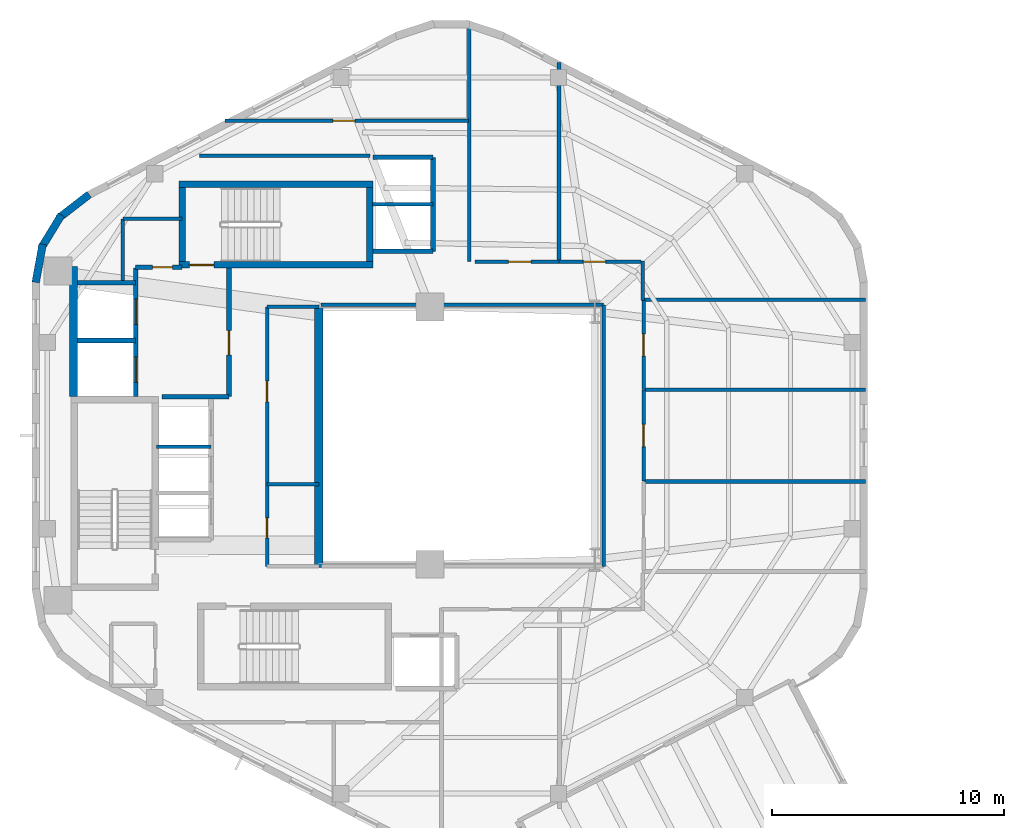
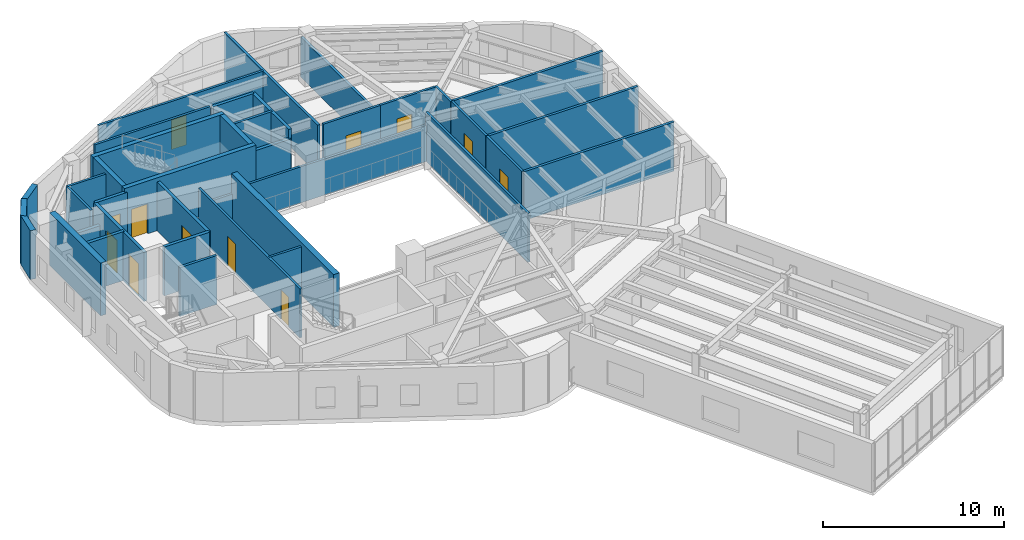
# One storey, part 8 of 11: 39 walls, 12 doors, 12 openings.
"""IFC4 building model written with IfcOpenShell, lengths in metres."""

from ifc_helpers import new_model, si_unit, direction, frame, frame_2d, origin, place, context, subcontext, project, spatial, rectangle, extrude, material, layer, layer_set, type_object, element, fill, save


model = new_model("IFC4")

# Units and contexts
model_context = context("Model", 3, precision=1e-05, world=origin(), true_north=direction((0.0, 1.0)))
body_context = subcontext(model_context, "Body", "Model", "MODEL_VIEW")
ifc_project = project(units=[si_unit("LENGTHUNIT", "METRE"), si_unit("AREAUNIT", "SQUARE_METRE"), si_unit("VOLUMEUNIT", "CUBIC_METRE"), si_unit("PLANEANGLEUNIT", "RADIAN"), si_unit("MASSUNIT", "GRAM", prefix="KILO"), si_unit("THERMODYNAMICTEMPERATUREUNIT", "KELVIN"), si_unit("POWERUNIT", "WATT")], contexts=[model_context])

# Site, building, storey
site_placement = place(None, origin())
site = spatial("IfcSite", under=ifc_project, at=site_placement, CompositionType="ELEMENT")
building_placement = place(site_placement, origin())
building = spatial("IfcBuilding", under=site, at=building_placement, Name="Skarre Station Tower", CompositionType="ELEMENT")
storey_placement = place(building_placement, frame((0.0, 0.0, 241.89990234375)))
storey = spatial("IfcBuildingStorey", under=building, at=storey_placement, Name="L66", CompositionType="ELEMENT", Elevation=241.89990234375)

# Wall
ifc_material_1 = material(Name="Acoustic Steel-Stud Gypsum Partition", Category="steel")
ifc_layer_1 = layer(ifc_material_1, 0.14990234375, Name="Acoustic Steel-Stud Gypsum Partition")
ifc_layer_set_1 = layer_set([ifc_layer_1], Name="Acoustic Steel-Stud Gypsum Partition")
wall_type_1 = type_object("IfcWallType", Name="Fire-Rated Corridor Acoustic Partition 150", PredefinedType="PARTITIONING", material=ifc_layer_set_1)
wall_1_placement = place(storey_placement, frame((25.320068359375, 21.89990234375, 0.0), z_axis=(0.0, 0.0, 1.0), x_axis=(1.0, 0.0, 0.0)))
element("IfcWall", 1, at=wall_1_placement, inside=storey, type_object=wall_type_1, Name="L66 Interior Partition WL-PT-L66-RC2-M", PredefinedType="PARTITIONING", context=body_context, shape_type="SweptSolid", body=[
    extrude(rectangle(XDim=2.22998046875, YDim=0.14990234375, at=frame_2d((1.114990234375, 0.0))), origin(), (0.0, 0.0, 1.0), 3.2900390625),
])

# Wall, openings, doors
wall_2_placement = place(storey_placement, frame((25.320068359375, 29.550048828125, 0.0), z_axis=(0.0, 0.0, 1.0), x_axis=(0.0, -1.0, 0.0)))
wall_2 = element("IfcWall", 2, at=wall_2_placement, inside=storey, type_object=wall_type_1, Name="L66 Interior Partition WL-PT-L66-RC2-W", PredefinedType="PARTITIONING", context=body_context, shape_type="SweptSolid", body=[
    extrude(rectangle(XDim=11.18994140625, YDim=0.14990234375, at=frame_2d((5.594970703125, 0.0))), origin(), (0.0, 0.0, 1.0), 3.2900390625),
])
opening_1_placement = place(wall_2_placement, frame((3.199951171875, 0.0, 0.0)))
opening_1 = element("IfcOpeningElement", 3, at=opening_1_placement, cuts=wall_2, Name="Opening DR-SVC90", PredefinedType="OPENING", context=body_context, shape_type="SweptSolid", body=[
    extrude(rectangle(XDim=0.89990234375, YDim=2.0, at=frame_2d((0.449951171875, 1.0))), frame((0.0, 0.0849609375, 0.0), z_axis=(0.0, -1.0, 0.0), x_axis=(1.0, 0.0, 0.0)), (0.0, 0.0, 1.0), 0.169921875),
])
opening_2_placement = place(wall_2_placement, frame((9.10009765625, 0.0, 0.0)))
opening_2 = element("IfcOpeningElement", 4, at=opening_2_placement, cuts=wall_2, Name="Opening DR-SVC86", PredefinedType="OPENING", context=body_context, shape_type="SweptSolid", body=[
    extrude(rectangle(XDim=0.860107421875, YDim=2.0, at=frame_2d((0.43017578125, 1.0))), frame((0.0, 0.0849609375, 0.0), z_axis=(0.0, -1.0, 0.0), x_axis=(1.0, 0.0, 0.0)), (0.0, 0.0, 1.0), 0.169921875),
])
ifc_material_2 = material(Name="Powder-Coated Hollow-Metal Acoustic Fire Leaf", Category="steel")
door_type_1 = type_object("IfcDoorType", Name="Compact Riser Fire Door FD60 860x2100", OperationType="SINGLE_SWING_LEFT", PredefinedType="DOOR", material=ifc_material_2)
door_1_placement = place(opening_2_placement, origin())
door_1 = element("IfcDoor", 5, at=door_1_placement, inside=storey, type_object=door_type_1, Name="L66 Espresso Room Door", OperationType="SINGLE_SWING_LEFT", OverallHeight=2.0, OverallWidth=0.860107421875, PredefinedType="DOOR", context=body_context, shape_type="SweptSolid", body=[
    extrude(rectangle(XDim=0.860107421875, YDim=2.0, at=frame_2d((0.43017578125, 1.0))), frame((0.0, 0.02490234375, 0.0), z_axis=(0.0, -1.0, 0.0), x_axis=(1.0, 0.0, 0.0)), (0.0, 0.0, 1.0), 0.050048828125),
])
fill(opening_2, door_1)
door_type_2 = type_object("IfcDoorType", Name="Service & Riser Fire Door FD60 900x2100", OperationType="SINGLE_SWING_LEFT", PredefinedType="DOOR", material=ifc_material_2)
door_2_placement = place(opening_1_placement, origin())
door_2 = element("IfcDoor", 6, at=door_2_placement, inside=storey, type_object=door_type_2, Name="L66 Reading Alcove Door", OperationType="SINGLE_SWING_LEFT", OverallHeight=2.0, OverallWidth=0.89990234375, PredefinedType="DOOR", context=body_context, shape_type="SweptSolid", body=[
    extrude(rectangle(XDim=0.89990234375, YDim=2.0, at=frame_2d((0.449951171875, 1.0))), frame((0.0, 0.02490234375, 0.0), z_axis=(0.0, -1.0, 0.0), x_axis=(1.0, 0.0, 0.0)), (0.0, 0.0, 1.0), 0.050048828125),
])
fill(opening_1, door_2)

# Walls
wall_3_placement = place(storey_placement, frame((27.550048828125, 29.550048828125, 0.0), z_axis=(0.0, 0.0, 1.0), x_axis=(-1.0, 0.0, 0.0)))
element("IfcWall", 7, at=wall_3_placement, inside=storey, type_object=wall_type_1, Name="L66 Interior Partition WL-PT-L66-RC2-N", PredefinedType="PARTITIONING", context=body_context, shape_type="SweptSolid", body=[
    extrude(rectangle(XDim=2.22998046875, YDim=0.14990234375, at=frame_2d((1.114990234375, 0.0))), origin(), (0.0, 0.0, 1.0), 2.190185546875),
])
wall_4_placement = place(storey_placement, frame((19.10009765625, 33.35009765625, 0.0), z_axis=(0.0, 0.0, 1.0), x_axis=(0.0, -1.0, 0.0)))
element("IfcWall", 8, at=wall_4_placement, inside=storey, type_object=wall_type_1, Name="L66 Interior Partition WL-PT-L66-CNW-W", PredefinedType="PARTITIONING", context=body_context, shape_type="SweptSolid", body=[
    extrude(rectangle(XDim=2.655029296875, YDim=0.14990234375, at=frame_2d((1.32763671875, 0.0))), origin(), (0.0, 0.0, 1.0), 3.2900390625),
])
wall_5_placement = place(storey_placement, frame((21.659912109375, 33.35009765625, 0.0), z_axis=(0.0, 0.0, 1.0), x_axis=(-1.0, 0.0, 0.0)))
element("IfcWall", 9, at=wall_5_placement, inside=storey, type_object=wall_type_1, Name="L66 Interior Partition WL-PT-L66-CNW-N1", PredefinedType="PARTITIONING", context=body_context, shape_type="SweptSolid", body=[
    extrude(rectangle(XDim=2.559814453125, YDim=0.14990234375, at=frame_2d((1.27978515625, 0.0))), origin(), (0.0, 0.0, 1.0), 3.2900390625),
])
wall_6_placement = place(storey_placement, frame((39.840087890625, 29.639892578125, 0.0), z_axis=(0.0, 0.0, 1.0), x_axis=(-1.0, 0.0, 0.0)))
element("IfcWall", 10, at=wall_6_placement, inside=storey, type_object=wall_type_1, Name="L66 Interior Partition WL-PT-L66-ATRW-N", PredefinedType="PARTITIONING", context=body_context, shape_type="SweptSolid", body=[
    extrude(rectangle(XDim=12.203125, YDim=0.14990234375, at=frame_2d((6.1015625, 0.0))), origin(), (0.0, 0.0, 1.0), 2.43115234375),
])
wall_7_placement = place(storey_placement, frame((39.840087890625, 18.360107421875, 0.0), z_axis=(0.0, 0.0, 1.0), x_axis=(0.0, 1.0, 0.0)))
element("IfcWall", 11, at=wall_7_placement, inside=storey, type_object=wall_type_1, Name="L66 Interior Partition WL-PT-L66-ATRW-E", PredefinedType="PARTITIONING", context=body_context, shape_type="SweptSolid", body=[
    extrude(rectangle(XDim=11.27978515625, YDim=0.14990234375, at=frame_2d((5.639892578125, 0.0))), origin(), (0.0, 0.0, 1.0), 3.2900390625),
])

# Wall, opening, door
wall_8_placement = place(storey_placement, frame((34.0, 37.580078125, 0.0), z_axis=(0.0, 0.0, 1.0), x_axis=(-1.0, 0.0, 0.0)))
wall_8 = element("IfcWall", 12, at=wall_8_placement, inside=storey, type_object=wall_type_1, Name="L66 Interior Partition WL-PT-L66-NWW1-CW", PredefinedType="PARTITIONING", context=body_context, shape_type="SweptSolid", body=[
    extrude(rectangle(XDim=10.5009765625, YDim=0.14990234375, at=frame_2d((5.25048828125, 0.0))), origin(), (0.0, 0.0, 1.0), 3.2900390625),
])
opening_3_placement = place(wall_8_placement, frame((4.87890625, 0.0, 0.0)))
opening_3 = element("IfcOpeningElement", 13, at=opening_3_placement, cuts=wall_8, Name="Opening DR-FD60", PredefinedType="OPENING", context=body_context, shape_type="SweptSolid", body=[
    extrude(rectangle(XDim=0.9599609375, YDim=2.0, at=frame_2d((0.47998046875, 1.0))), frame((0.0, 0.0849609375, 0.0), z_axis=(0.0, -1.0, 0.0), x_axis=(1.0, 0.0, 0.0)), (0.0, 0.0, 1.0), 0.169921875),
])
ifc_material_3 = material(Name="Nordic White-Oak Veneer Solid-Core Fire Leaf", Category="wood")
door_type_3 = type_object("IfcDoorType", Name="Corridor Suite Entry Fire Door FD60 960x2150", OperationType="SINGLE_SWING_LEFT", PredefinedType="DOOR", material=ifc_material_3)
door_3_placement = place(opening_3_placement, origin())
door_3 = element("IfcDoor", 14, at=door_3_placement, inside=storey, type_object=door_type_3, Name="L66 NWW1 Entry Door", OperationType="SINGLE_SWING_LEFT", OverallHeight=2.0, OverallWidth=0.9599609375, PredefinedType="DOOR", context=body_context, shape_type="SweptSolid", body=[
    extrude(rectangle(XDim=0.9599609375, YDim=2.0, at=frame_2d((0.47998046875, 1.0))), frame((0.0, 0.02490234375, 0.0), z_axis=(0.0, -1.0, 0.0), x_axis=(1.0, 0.0, 0.0)), (0.0, 0.0, 1.0), 0.050048828125),
])
fill(opening_3, door_3)

# Wall
wall_9_placement = place(storey_placement, frame((41.52001953125, 29.820068359375, 0.0), z_axis=(0.0, 0.0, 1.0), x_axis=(0.0, 1.0, 0.0)))
element("IfcWall", 15, at=wall_9_placement, inside=storey, type_object=wall_type_1, Name="L66 Interior Partition WL-PT-L66-CORR-NER", PredefinedType="PARTITIONING", context=body_context, shape_type="SweptSolid", body=[
    extrude(rectangle(XDim=1.719970703125, YDim=0.14990234375, at=frame_2d((0.85986328125, 0.0))), origin(), (0.0, 0.0, 1.0), 3.2900390625),
])

# Wall, opening, door
wall_10_placement = place(storey_placement, frame((37.912109375, 31.5, 0.0), z_axis=(0.0, 0.0, 1.0), x_axis=(-1.0, 0.0, 0.0)))
wall_10 = element("IfcWall", 16, at=wall_10_placement, inside=storey, type_object=wall_type_1, Name="L66 Interior Partition WL-PT-L66-NW1-CW", PredefinedType="PARTITIONING", context=body_context, shape_type="SweptSolid", body=[
    extrude(rectangle(XDim=3.6220703125, YDim=0.14990234375, at=frame_2d((1.81103515625, 0.0))), origin(), (0.0, 0.0, 1.0), 3.2900390625),
])
opening_4_placement = place(wall_10_placement, frame((1.2119140625, 0.0, 0.0)))
opening_4 = element("IfcOpeningElement", 17, at=opening_4_placement, cuts=wall_10, Name="Opening DR-FD60", PredefinedType="OPENING", context=body_context, shape_type="SweptSolid", body=[
    extrude(rectangle(XDim=0.9599609375, YDim=2.0, at=frame_2d((0.47998046875, 1.0))), frame((0.0, 0.0849609375, 0.0), z_axis=(0.0, -1.0, 0.0), x_axis=(1.0, 0.0, 0.0)), (0.0, 0.0, 1.0), 0.169921875),
])
door_4_placement = place(opening_4_placement, origin())
door_4 = element("IfcDoor", 18, at=door_4_placement, inside=storey, type_object=door_type_3, Name="L66 NW1 Entry Door", OperationType="SINGLE_SWING_LEFT", OverallHeight=2.0, OverallWidth=0.9599609375, PredefinedType="DOOR", context=body_context, shape_type="SweptSolid", body=[
    extrude(rectangle(XDim=0.9599609375, YDim=2.0, at=frame_2d((0.47998046875, 1.0))), frame((0.0, 0.02490234375, 0.0), z_axis=(0.0, -1.0, 0.0), x_axis=(1.0, 0.0, 0.0)), (0.0, 0.0, 1.0), 0.050048828125),
])
fill(opening_4, door_4)

wall_11_placement = place(storey_placement, frame((41.449951171875, 31.5, 0.0), z_axis=(0.0, 0.0, 1.0), x_axis=(-1.0, 0.0, 0.0)))
wall_11 = element("IfcWall", 19, at=wall_11_placement, inside=storey, type_object=wall_type_1, Name="L66 Interior Partition WL-PT-L66-NW2-CW", PredefinedType="PARTITIONING", context=body_context, shape_type="SweptSolid", body=[
    extrude(rectangle(XDim=3.52783203125, YDim=0.14990234375, at=frame_2d((1.763916015625, 0.0))), origin(), (0.0, 0.0, 1.0), 3.2900390625),
])
opening_5_placement = place(wall_11_placement, frame((1.52392578125, 0.0, 0.0)))
opening_5 = element("IfcOpeningElement", 20, at=opening_5_placement, cuts=wall_11, Name="Opening DR-FD60", PredefinedType="OPENING", context=body_context, shape_type="SweptSolid", body=[
    extrude(rectangle(XDim=0.9599609375, YDim=2.0, at=frame_2d((0.47998046875, 1.0))), frame((0.0, 0.0849609375, 0.0), z_axis=(0.0, -1.0, 0.0), x_axis=(1.0, 0.0, 0.0)), (0.0, 0.0, 1.0), 0.169921875),
])
door_5_placement = place(opening_5_placement, origin())
door_5 = element("IfcDoor", 21, at=door_5_placement, inside=storey, type_object=door_type_3, Name="L66 NW2 Entry Door", OperationType="SINGLE_SWING_LEFT", OverallHeight=2.0, OverallWidth=0.9599609375, PredefinedType="DOOR", context=body_context, shape_type="SweptSolid", body=[
    extrude(rectangle(XDim=0.9599609375, YDim=2.0, at=frame_2d((0.47998046875, 1.0))), frame((0.0, 0.02490234375, 0.0), z_axis=(0.0, -1.0, 0.0), x_axis=(1.0, 0.0, 0.0)), (0.0, 0.0, 1.0), 0.050048828125),
])
fill(opening_5, door_5)

wall_12_placement = place(storey_placement, frame((41.56005859375, 22.0390625, 0.0), z_axis=(0.0, 0.0, 1.0), x_axis=(0.0, 1.0, 0.0)))
wall_12 = element("IfcWall", 22, at=wall_12_placement, inside=storey, type_object=wall_type_1, Name="L66 Interior Partition WL-PT-L66-EW2-CW", PredefinedType="PARTITIONING", context=body_context, shape_type="SweptSolid", body=[
    extrude(rectangle(XDim=3.921875, YDim=0.14990234375, at=frame_2d((1.9609375, 0.0))), origin(), (0.0, 0.0, 1.0), 3.2900390625),
])
opening_6_placement = place(wall_12_placement, frame((1.48095703125, 0.0, 0.0)))
opening_6 = element("IfcOpeningElement", 23, at=opening_6_placement, cuts=wall_12, Name="Opening DR-FD60", PredefinedType="OPENING", context=body_context, shape_type="SweptSolid", body=[
    extrude(rectangle(XDim=0.9599609375, YDim=2.0, at=frame_2d((0.47998046875, 1.0))), frame((0.0, 0.0849609375, 0.0), z_axis=(0.0, -1.0, 0.0), x_axis=(1.0, 0.0, 0.0)), (0.0, 0.0, 1.0), 0.169921875),
])
door_6_placement = place(opening_6_placement, origin())
door_6 = element("IfcDoor", 24, at=door_6_placement, inside=storey, type_object=door_type_3, Name="L66 EW2 Entry Door", OperationType="SINGLE_SWING_LEFT", OverallHeight=2.0, OverallWidth=0.9599609375, PredefinedType="DOOR", context=body_context, shape_type="SweptSolid", body=[
    extrude(rectangle(XDim=0.9599609375, YDim=2.0, at=frame_2d((0.47998046875, 1.0))), frame((0.0, 0.02490234375, 0.0), z_axis=(0.0, -1.0, 0.0), x_axis=(1.0, 0.0, 0.0)), (0.0, 0.0, 1.0), 0.050048828125),
])
fill(opening_6, door_6)

wall_13_placement = place(storey_placement, frame((41.56005859375, 25.9970703125, 0.0), z_axis=(0.0, 0.0, 1.0), x_axis=(0.0, 1.0, 0.0)))
wall_13 = element("IfcWall", 25, at=wall_13_placement, inside=storey, type_object=wall_type_1, Name="L66 Interior Partition WL-PT-L66-EW3-CW", PredefinedType="PARTITIONING", context=body_context, shape_type="SweptSolid", body=[
    extrude(rectangle(XDim=3.822998046875, YDim=0.14990234375, at=frame_2d((1.91162109375, 0.0))), origin(), (0.0, 0.0, 1.0), 3.2900390625),
])
opening_7_placement = place(wall_13_placement, frame((1.431884765625, 0.0, 0.0)))
opening_7 = element("IfcOpeningElement", 26, at=opening_7_placement, cuts=wall_13, Name="Opening DR-FD60", PredefinedType="OPENING", context=body_context, shape_type="SweptSolid", body=[
    extrude(rectangle(XDim=0.9599609375, YDim=2.0, at=frame_2d((0.47998046875, 1.0))), frame((0.0, 0.0849609375, 0.0), z_axis=(0.0, -1.0, 0.0), x_axis=(1.0, 0.0, 0.0)), (0.0, 0.0, 1.0), 0.169921875),
])
door_7_placement = place(opening_7_placement, origin())
door_7 = element("IfcDoor", 27, at=door_7_placement, inside=storey, type_object=door_type_3, Name="L66 EW3 Entry Door", OperationType="SINGLE_SWING_LEFT", OverallHeight=2.0, OverallWidth=0.9599609375, PredefinedType="DOOR", context=body_context, shape_type="SweptSolid", body=[
    extrude(rectangle(XDim=0.9599609375, YDim=2.0, at=frame_2d((0.47998046875, 1.0))), frame((0.0, 0.02490234375, 0.0), z_axis=(0.0, -1.0, 0.0), x_axis=(1.0, 0.0, 0.0)), (0.0, 0.0, 1.0), 0.050048828125),
])
fill(opening_7, door_7)

# Walls
wall_14_placement = place(storey_placement, frame((29.7529296875, 36.080078125, 0.0), z_axis=(0.0, 0.0, 1.0), x_axis=(-1.0, 0.0, 0.0)))
element("IfcWall", 28, at=wall_14_placement, inside=storey, type_object=wall_type_1, Name="L66 Interior Partition WL-PT-L66-CSEAL-1", PredefinedType="PARTITIONING", context=body_context, shape_type="SweptSolid", body=[
    extrude(rectangle(XDim=7.35302734375, YDim=0.14990234375, at=frame_2d((3.676513671875, 0.0))), origin(), (0.0, 0.0, 1.0), 3.2900390625),
])
ifc_material_4 = material(Name="Precast concrete C45/55", Category="concrete")
ifc_layer_2 = layer(ifc_material_4, 0.330078125, Name="Precast concrete C45/55")
ifc_layer_set_2 = layer_set([ifc_layer_2], Name="Precast concrete C45/55")
wall_type_2 = type_object("IfcWallType", Name="Nordic Rounded Corner Precast Wall 330", PredefinedType="STANDARD", material=ifc_layer_set_2)
wall_15_placement = place(storey_placement, frame((15.337890625, 30.60791015625, 0.0), z_axis=(0.0, 0.0, 1.0), x_axis=(0.180832605401, 0.983513888475, 0.0)))
element("IfcWall", 29, at=wall_15_placement, inside=storey, type_object=wall_type_2, Name="L66 Rounded Corner Precast Wall F2-1", PredefinedType="STANDARD", context=body_context, shape_type="SweptSolid", body=[
    extrude(rectangle(XDim=1.6767578125, YDim=0.330078125, at=frame_2d((0.83837890625, 0.0))), origin(), (0.0, 0.0, 1.0), 3.2900390625),
])
wall_16_placement = place(storey_placement, frame((15.573974609375, 32.08203125, 0.0), z_axis=(0.0, 0.0, 1.0), x_axis=(0.520325409202, 0.853968072318, 0.0)))
element("IfcWall", 30, at=wall_16_placement, inside=storey, type_object=wall_type_2, Name="L66 Rounded Corner Precast Wall F2-2", PredefinedType="STANDARD", context=body_context, shape_type="SweptSolid", body=[
    extrude(rectangle(XDim=1.677978515625, YDim=0.330078125, at=frame_2d((0.8388671875, 0.0))), origin(), (0.0, 0.0, 1.0), 3.2900390625),
])
wall_17_placement = place(storey_placement, frame((16.322021484375, 33.375, 0.0), z_axis=(0.0, 0.0, 1.0), x_axis=(0.790691856293, 0.61221433207, 0.0)))
element("IfcWall", 31, at=wall_17_placement, inside=storey, type_object=wall_type_2, Name="L66 Rounded Corner Precast Wall F2-3", PredefinedType="STANDARD", context=body_context, shape_type="SweptSolid", body=[
    extrude(rectangle(XDim=1.67578125, YDim=0.330078125, at=frame_2d((0.837890625, 0.0))), origin(), (0.0, 0.0, 1.0), 3.2900390625),
])

# Wall, opening, door
ifc_material_5 = material(Name="Concrete C50/60", Category="concrete")
ifc_layer_3 = layer(ifc_material_5, 0.280029296875, Name="Concrete C50/60")
ifc_layer_set_3 = layer_set([ifc_layer_3], Name="Concrete C50/60")
wall_type_3 = type_object("IfcWallType", Name="RC Core Shear Wall 280", PredefinedType="SHEAR", material=ifc_layer_set_3)
wall_18_placement = place(storey_placement, frame((21.52001953125, 31.360107421875, 0.0), z_axis=(0.0, 0.0, 1.0), x_axis=(1.0, 0.0, 0.0)))
wall_18 = element("IfcWall", 32, at=wall_18_placement, inside=storey, type_object=wall_type_3, Name="L66 Stair ST-3 South Shear Wall", PredefinedType="SHEAR", context=body_context, shape_type="SweptSolid", body=[
    extrude(rectangle(XDim=8.35986328125, YDim=0.280029296875, at=frame_2d((4.179931640625, 0.0))), origin(), (0.0, 0.0, 1.0), 3.550048828125),
])
opening_8_placement = place(wall_18_placement, frame((0.449951171875, 0.0, 0.0)))
opening_8 = element("IfcOpeningElement", 33, at=opening_8_placement, cuts=wall_18, Name="Opening DR-FD90", PredefinedType="OPENING", context=body_context, shape_type="SweptSolid", body=[
    extrude(rectangle(XDim=1.050048828125, YDim=2.0, at=frame_2d((0.52490234375, 1.0))), frame((0.0, 0.14990234375, 0.0), z_axis=(0.0, -1.0, 0.0), x_axis=(1.0, 0.0, 0.0)), (0.0, 0.0, 1.0), 0.300048828125),
])
ifc_material_6 = material(Name="Fire-Rated Insulated Steel Frame & Timber Core Leaf", Category="steel")
door_type_4 = type_object("IfcDoorType", Name="Stair & FSAE Lobby Fire Door FD90 1050x2150", OperationType="SINGLE_SWING_RIGHT", PredefinedType="DOOR", material=ifc_material_6)
door_8_placement = place(opening_8_placement, origin())
door_8 = element("IfcDoor", 34, at=door_8_placement, inside=storey, type_object=door_type_4, Name="L66 Stair ST-3 & FSAE Lobby Direct Exit Door", OperationType="SINGLE_SWING_LEFT", OverallHeight=2.0, OverallWidth=1.050048828125, PredefinedType="DOOR", context=body_context, shape_type="SweptSolid", body=[
    extrude(rectangle(XDim=1.050048828125, YDim=2.0, at=frame_2d((0.52490234375, 1.0))), frame((0.0, 0.02490234375, 0.0), z_axis=(0.0, -1.0, 0.0), x_axis=(1.0, 0.0, 0.0)), (0.0, 0.0, 1.0), 0.050048828125),
])
fill(opening_8, door_8)

# Walls
wall_19_placement = place(storey_placement, frame((29.8798828125, 34.840087890625, 0.0), z_axis=(0.0, 0.0, 1.0), x_axis=(-1.0, 0.0, 0.0)))
element("IfcWall", 35, at=wall_19_placement, inside=storey, type_object=wall_type_3, Name="L66 Stair ST-3 North Shear Wall", PredefinedType="SHEAR", context=body_context, shape_type="SweptSolid", body=[
    extrude(rectangle(XDim=8.35986328125, YDim=0.280029296875, at=frame_2d((4.179931640625, 0.0))), origin(), (0.0, 0.0, 1.0), 3.550048828125),
])
for number, where, z_axis, x_axis, name in (
    (36, (21.659912109375, 34.699951171875, 0.0), (0.0, 0.0, 1.0), (0.0, -1.0, 0.0), "L66 Stair ST-3 West Shear Wall"),
    (37, (29.739990234375, 31.5, 0.0), (0.0, 0.0, 1.0), (0.0, 1.0, 0.0), "L66 Stair ST-3 East Shear Wall"),
):
    element("IfcWall", number, at=place(storey_placement, frame(where, z_axis=z_axis, x_axis=x_axis)), inside=storey, type_object=wall_type_3, Name=name, PredefinedType="SHEAR", context=body_context, shape_type="SweptSolid", body=[
        extrude(rectangle(XDim=3.199951171875, YDim=0.280029296875, at=frame_2d((1.60009765625, 0.0))), origin(), (0.0, 0.0, 1.0), 3.550048828125),
    ])
ifc_layer_4 = layer(ifc_material_5, 0.360107421875, Name="Concrete C50/60")
ifc_layer_set_4 = layer_set([ifc_layer_4], Name="Concrete C50/60")
wall_type_4 = type_object("IfcWallType", Name="RC Core Shear Wall 360", PredefinedType="SHEAR", material=ifc_layer_set_4)
wall_20_placement = place(storey_placement, frame((16.969970703125, 25.679931640625, 0.0), z_axis=(0.0, 0.0, 1.0), x_axis=(0.0, 1.0, 0.0)))
element("IfcWall", 38, at=wall_20_placement, inside=storey, type_object=wall_type_4, Name="L66 Core West-North Shear Wall", PredefinedType="SHEAR", context=body_context, shape_type="SweptSolid", body=[
    extrude(rectangle(XDim=5.6201171875, YDim=0.360107421875, at=frame_2d((2.81005859375, 0.0))), origin(), (0.0, 0.0, 1.0), 3.550048828125),
])
wall_21_placement = place(storey_placement, frame((27.550048828125, 29.550048828125, 0.0), z_axis=(0.0, 0.0, 1.0), x_axis=(0.0, -1.0, 0.0)))
element("IfcWall", 39, at=wall_21_placement, inside=storey, type_object=wall_type_4, Name="L66 Core East Atrium Shear Wall", PredefinedType="SHEAR", context=body_context, shape_type="SweptSolid", body=[
    extrude(rectangle(XDim=11.25, YDim=0.360107421875, at=frame_2d((5.625, 0.0))), origin(), (0.0, 0.0, 1.0), 3.550048828125),
])

# Wall, openings, doors
ifc_material_7 = material(Name="Gypsum Concrete Shaft Assembly C30/37", Category="concrete")
ifc_layer_5 = layer(ifc_material_7, 0.199951171875, Name="Gypsum Concrete Shaft Assembly C30/37")
ifc_layer_set_5 = layer_set([ifc_layer_5], Name="Gypsum Concrete Shaft Assembly C30/37")
wall_type_5 = type_object("IfcWallType", Name="Shaft & Core Fire Partition 200", PredefinedType="PARTITIONING", material=ifc_layer_set_5)
wall_22_placement = place(storey_placement, frame((19.64990234375, 25.679931640625, 0.0), z_axis=(0.0, 0.0, 1.0), x_axis=(0.0, 1.0, 0.0)))
wall_22 = element("IfcWall", 40, at=wall_22_placement, inside=storey, type_object=wall_type_5, Name="L66 Interior Partition WL-PT-L66-FSAE-W", PredefinedType="PARTITIONING", context=body_context, shape_type="SweptSolid", body=[
    extrude(rectangle(XDim=5.5400390625, YDim=0.199951171875, at=frame_2d((2.77001953125, 0.0))), origin(), (0.0, 0.0, 1.0), 3.2900390625),
])
opening_9_placement = place(wall_22_placement, frame((0.6201171875, 0.0, 0.0)))
opening_9 = element("IfcOpeningElement", 41, at=opening_9_placement, cuts=wall_22, Name="Opening LD-FF1", PredefinedType="OPENING", context=body_context, shape_type="SweptSolid", body=[
    extrude(rectangle(XDim=1.10009765625, YDim=2.199951171875, at=frame_2d((0.550048828125, 1.10009765625))), frame((0.0, 0.10986328125, 0.0), z_axis=(0.0, -1.0, 0.0), x_axis=(1.0, 0.0, 0.0)), (0.0, 0.0, 1.0), 0.219970703125),
])
opening_10_placement = place(wall_22_placement, frame((3.1201171875, 0.0, 0.0)))
opening_10 = element("IfcOpeningElement", 42, at=opening_10_placement, cuts=wall_22, Name="Opening LD-FF2", PredefinedType="OPENING", context=body_context, shape_type="SweptSolid", body=[
    extrude(rectangle(XDim=1.10009765625, YDim=2.199951171875, at=frame_2d((0.550048828125, 1.10009765625))), frame((0.0, 0.10986328125, 0.0), z_axis=(0.0, -1.0, 0.0), x_axis=(1.0, 0.0, 0.0)), (0.0, 0.0, 1.0), 0.219970703125),
])
ifc_material_8 = material(Name="Fire-Rated Stainless Steel Grade 316L Sliding Leaves", Category="steel")
door_type_5 = type_object("IfcDoorType", Name="Fire Service Access Elevator Sliding Landing Door 1100x2200", OperationType="SLIDING_TO_LEFT", PredefinedType="DOOR", material=ifc_material_8)
door_9_placement = place(opening_9_placement, origin())
door_9 = element("IfcDoor", 43, at=door_9_placement, inside=storey, type_object=door_type_5, Name="L66 Firefighting Lift LF-FF1 Landing Door", OperationType="SLIDING_TO_LEFT", OverallHeight=2.199951171875, OverallWidth=1.10009765625, PredefinedType="DOOR", context=body_context, shape_type="SweptSolid", body=[
    extrude(rectangle(XDim=1.10009765625, YDim=2.199951171875, at=frame_2d((0.550048828125, 1.10009765625))), frame((0.0, 0.02490234375, 0.0), z_axis=(0.0, -1.0, 0.0), x_axis=(1.0, 0.0, 0.0)), (0.0, 0.0, 1.0), 0.050048828125),
])
fill(opening_9, door_9)
door_10_placement = place(opening_10_placement, origin())
door_10 = element("IfcDoor", 44, at=door_10_placement, inside=storey, type_object=door_type_5, Name="L66 Firefighting Lift LF-FF2 Landing Door", OperationType="SLIDING_TO_LEFT", OverallHeight=2.199951171875, OverallWidth=1.10009765625, PredefinedType="DOOR", context=body_context, shape_type="SweptSolid", body=[
    extrude(rectangle(XDim=1.10009765625, YDim=2.199951171875, at=frame_2d((0.550048828125, 1.10009765625))), frame((0.0, 0.02490234375, 0.0), z_axis=(0.0, -1.0, 0.0), x_axis=(1.0, 0.0, 0.0)), (0.0, 0.0, 1.0), 0.050048828125),
])
fill(opening_10, door_10)

# Wall
wall_23_placement = place(storey_placement, frame((20.79296875, 25.679931640625, 0.0), z_axis=(0.0, 0.0, 1.0), x_axis=(1.0, 0.0, 0.0)))
element("IfcWall", 45, at=wall_23_placement, inside=storey, type_object=wall_type_5, Name="L66 Interior Partition WL-PT-L66-FSAE-S", PredefinedType="PARTITIONING", context=body_context, shape_type="SweptSolid", body=[
    extrude(rectangle(XDim=2.886962890625, YDim=0.199951171875, at=frame_2d((1.443359375, 0.0))), origin(), (0.0, 0.0, 1.0), 3.2900390625),
])

# Wall, opening, door
wall_24_placement = place(storey_placement, frame((23.679931640625, 25.679931640625, 0.0), z_axis=(0.0, 0.0, 1.0), x_axis=(0.0, 1.0, 0.0)))
wall_24 = element("IfcWall", 46, at=wall_24_placement, inside=storey, type_object=wall_type_5, Name="L66 Interior Partition WL-PT-L66-FSAE-E", PredefinedType="PARTITIONING", context=body_context, shape_type="SweptSolid", body=[
    extrude(rectangle(XDim=5.5400390625, YDim=0.199951171875, at=frame_2d((2.77001953125, 0.0))), origin(), (0.0, 0.0, 1.0), 3.2900390625),
])
opening_11_placement = place(wall_24_placement, frame((1.800048828125, 0.0, 0.0)))
opening_11 = element("IfcOpeningElement", 47, at=opening_11_placement, cuts=wall_24, Name="Opening DR-FD90", PredefinedType="OPENING", context=body_context, shape_type="SweptSolid", body=[
    extrude(rectangle(XDim=1.050048828125, YDim=2.0, at=frame_2d((0.52490234375, 1.0))), frame((0.0, 0.10986328125, 0.0), z_axis=(0.0, -1.0, 0.0), x_axis=(1.0, 0.0, 0.0)), (0.0, 0.0, 1.0), 0.219970703125),
])
door_11_placement = place(opening_11_placement, origin())
door_11 = element("IfcDoor", 48, at=door_11_placement, inside=storey, type_object=door_type_4, Name="L66 FSAE Lobby Fire Door", OperationType="SINGLE_SWING_RIGHT", OverallHeight=2.0, OverallWidth=1.050048828125, PredefinedType="DOOR", context=body_context, shape_type="SweptSolid", body=[
    extrude(rectangle(XDim=1.050048828125, YDim=2.0, at=frame_2d((0.52490234375, 1.0))), frame((0.0, 0.02490234375, 0.0), z_axis=(0.0, -1.0, 0.0), x_axis=(1.0, 0.0, 0.0)), (0.0, 0.0, 1.0), 0.050048828125),
])
fill(opening_11, door_11)

wall_25_placement = place(storey_placement, frame((21.659912109375, 31.260009765625, 0.0), z_axis=(0.0, 0.0, 1.0), x_axis=(-1.0, 0.0, 0.0)))
wall_25 = element("IfcWall", 49, at=wall_25_placement, inside=storey, type_object=wall_type_5, Name="L66 Interior Partition WL-PT-L66-FSAE-N", PredefinedType="PARTITIONING", context=body_context, shape_type="SweptSolid", body=[
    extrude(rectangle(XDim=2.010009765625, YDim=0.199951171875, at=frame_2d((1.0048828125, 0.0))), origin(), (0.0, 0.0, 1.0), 3.2900390625),
])
opening_12_placement = place(wall_25_placement, frame((0.419921875, 0.0, 0.0)))
opening_12 = element("IfcOpeningElement", 50, at=opening_12_placement, cuts=wall_25, Name="Opening DR-SVC86", PredefinedType="OPENING", context=body_context, shape_type="SweptSolid", body=[
    extrude(rectangle(XDim=0.860107421875, YDim=2.0, at=frame_2d((0.43017578125, 1.0))), frame((0.0, 0.10986328125, 0.0), z_axis=(0.0, -1.0, 0.0), x_axis=(1.0, 0.0, 0.0)), (0.0, 0.0, 1.0), 0.219970703125),
])
door_12_placement = place(opening_12_placement, origin())
door_12 = element("IfcDoor", 51, at=door_12_placement, inside=storey, type_object=door_type_1, Name="L66 Core Service Room Lobby Door", OperationType="SINGLE_SWING_LEFT", OverallHeight=2.0, OverallWidth=0.860107421875, PredefinedType="DOOR", context=body_context, shape_type="SweptSolid", body=[
    extrude(rectangle(XDim=0.860107421875, YDim=2.0, at=frame_2d((0.43017578125, 1.0))), frame((0.0, 0.02490234375, 0.0), z_axis=(0.0, -1.0, 0.0), x_axis=(1.0, 0.0, 0.0)), (0.0, 0.0, 1.0), 0.050048828125),
])
fill(opening_12, door_12)

# Walls
wall_26_placement = place(storey_placement, frame((17.14990234375, 28.10009765625, 0.0), z_axis=(0.0, 0.0, 1.0), x_axis=(1.0, 0.0, 0.0)))
element("IfcWall", 52, at=wall_26_placement, inside=storey, type_object=wall_type_5, Name="L66 Interior Partition WL-PT-L66-FF-DIV", PredefinedType="PARTITIONING", context=body_context, shape_type="SweptSolid", body=[
    extrude(rectangle(XDim=2.5, YDim=0.199951171875, at=frame_2d((1.25, 0.0))), origin(), (0.0, 0.0, 1.0), 3.2900390625),
])
wall_27_placement = place(storey_placement, frame((19.64990234375, 30.60009765625, 0.0), z_axis=(0.0, 0.0, 1.0), x_axis=(-1.0, 0.0, 0.0)))
element("IfcWall", 53, at=wall_27_placement, inside=storey, type_object=wall_type_5, Name="L66 Interior Partition WL-PT-L66-FF-N", PredefinedType="PARTITIONING", context=body_context, shape_type="SweptSolid", body=[
    extrude(rectangle(XDim=2.5, YDim=0.199951171875, at=frame_2d((1.25, 0.0))), origin(), (0.0, 0.0, 1.0), 2.190185546875),
])
wall_28_placement = place(storey_placement, frame((32.47998046875, 31.949951171875, 0.0), z_axis=(0.0, 0.0, 1.0), x_axis=(0.0, 1.0, 0.0)))
element("IfcWall", 54, at=wall_28_placement, inside=storey, type_object=wall_type_5, Name="L66 Interior Partition WL-PT-L66-EX-E", PredefinedType="PARTITIONING", context=body_context, shape_type="SweptSolid", body=[
    extrude(rectangle(XDim=4.050048828125, YDim=0.199951171875, at=frame_2d((2.02490234375, 0.0))), origin(), (0.0, 0.0, 1.0), 3.2900390625),
])
wall_29_placement = place(storey_placement, frame((29.8798828125, 36.0, 0.0), z_axis=(0.0, 0.0, 1.0), x_axis=(1.0, 0.0, 0.0)))
element("IfcWall", 55, at=wall_29_placement, inside=storey, type_object=wall_type_5, Name="L66 Interior Partition WL-PT-L66-EX-N", PredefinedType="PARTITIONING", context=body_context, shape_type="SweptSolid", body=[
    extrude(rectangle(XDim=2.60009765625, YDim=0.199951171875, at=frame_2d((1.300048828125, 0.0))), origin(), (0.0, 0.0, 1.0), 3.2900390625),
])
wall_30_placement = place(storey_placement, frame((32.47998046875, 31.949951171875, 0.0), z_axis=(0.0, 0.0, 1.0), x_axis=(-1.0, 0.0, 0.0)))
element("IfcWall", 56, at=wall_30_placement, inside=storey, type_object=wall_type_5, Name="L66 Interior Partition WL-PT-L66-EX-S", PredefinedType="PARTITIONING", context=body_context, shape_type="SweptSolid", body=[
    extrude(rectangle(XDim=2.60009765625, YDim=0.199951171875, at=frame_2d((1.300048828125, 0.0))), origin(), (0.0, 0.0, 1.0), 2.68212890625),
])
wall_31_placement = place(storey_placement, frame((29.875, 33.97998046875, 0.0), z_axis=(0.0, 0.0, 1.0), x_axis=(1.0, 0.0, 0.0)))
element("IfcWall", 57, at=wall_31_placement, inside=storey, type_object=wall_type_5, Name="L66 Interior Partition WL-PT-L66-EX-DIV", PredefinedType="PARTITIONING", context=body_context, shape_type="SweptSolid", body=[
    extrude(rectangle(XDim=2.60498046875, YDim=0.159912109375, at=frame_2d((1.302490234375, 0.0))), origin(), (0.0, 0.0, 1.0), 3.2900390625),
])
wall_32_placement = place(storey_placement, frame((20.550048828125, 23.52001953125, 0.0), z_axis=(0.0, 0.0, 1.0), x_axis=(1.0, 0.0, 0.0)))
element("IfcWall", 58, at=wall_32_placement, inside=storey, type_object=wall_type_5, Name="L66 Interior Partition WL-PT-L66-B3-D2", PredefinedType="PARTITIONING", context=body_context, shape_type="SweptSolid", body=[
    extrude(rectangle(XDim=2.349853515625, YDim=0.159912109375, at=frame_2d((1.1748046875, 0.0))), origin(), (0.0, 0.0, 1.0), 3.2900390625),
])
ifc_layer_6 = layer(ifc_material_1, 0.1650390625, Name="Acoustic Steel-Stud Gypsum Partition")
ifc_layer_set_6 = layer_set([ifc_layer_6], Name="Acoustic Steel-Stud Gypsum Partition")
wall_type_6 = type_object("IfcWallType", Name="Suite Demising Acoustic Partition 165", PredefinedType="PARTITIONING", material=ifc_layer_set_6)
wall_33_placement = place(storey_placement, frame((34.0400390625, 31.5, 0.0), z_axis=(0.0, 0.0, 1.0), x_axis=(0.0, 1.0, 0.0)))
element("IfcWall", 59, at=wall_33_placement, inside=storey, type_object=wall_type_6, Name="L66 Interior Partition WL-PT-L66-NW-WBND", PredefinedType="PARTITIONING", context=body_context, shape_type="SweptSolid", body=[
    extrude(rectangle(XDim=10.318115234375, YDim=0.1650390625, at=frame_2d((5.1591796875, 0.0))), origin(), (0.0, 0.0, 1.0), 3.2900390625),
])
wall_34_placement = place(storey_placement, frame((37.9169921875, 31.510009765625, 0.0), z_axis=(0.0, 0.0, 1.0), x_axis=(0.0, 1.0, 0.0)))
element("IfcWall", 60, at=wall_34_placement, inside=storey, type_object=wall_type_6, Name="L66 Interior Partition WL-PT-L66-NW-P1", PredefinedType="PARTITIONING", context=body_context, shape_type="SweptSolid", body=[
    extrude(rectangle(XDim=8.575927734375, YDim=0.1650390625, at=frame_2d((4.2880859375, 0.0))), origin(), (0.0, 0.0, 1.0), 2.67919921875),
])
wall_35_placement = place(storey_placement, frame((41.52001953125, 29.860107421875, 0.0), z_axis=(0.0, 0.0, 1.0), x_axis=(1.0, 0.0, 0.0)))
element("IfcWall", 61, at=wall_35_placement, inside=storey, type_object=wall_type_6, Name="L66 Interior Partition WL-PT-L66-EWB-N", PredefinedType="PARTITIONING", context=body_context, shape_type="SweptSolid", body=[
    extrude(rectangle(XDim=9.623046875, YDim=0.1650390625, at=frame_2d((4.8115234375, 0.0))), origin(), (0.0, 0.0, 1.0), 3.2900390625),
])
for number, where, z_axis, x_axis, name in (
    (62, (41.590087890625, 22.02099609375, 0.0), (0.0, 0.0, 1.0), (1.0, 0.0, 0.0), "L66 Interior Partition WL-PT-L66-EW-P1"),
    (63, (41.590087890625, 25.97900390625, 0.0), (0.0, 0.0, 1.0), (1.0, 0.0, 0.0), "L66 Interior Partition WL-PT-L66-EW-P2"),
):
    element("IfcWall", number, at=place(storey_placement, frame(where, z_axis=z_axis, x_axis=x_axis)), inside=storey, type_object=wall_type_6, Name=name, PredefinedType="PARTITIONING", context=body_context, shape_type="SweptSolid", body=[
        extrude(rectangle(XDim=9.552978515625, YDim=0.1650390625, at=frame_2d((4.7763671875, 0.0))), origin(), (0.0, 0.0, 1.0), 3.2900390625),
    ])

save(model, "model.ifc")
